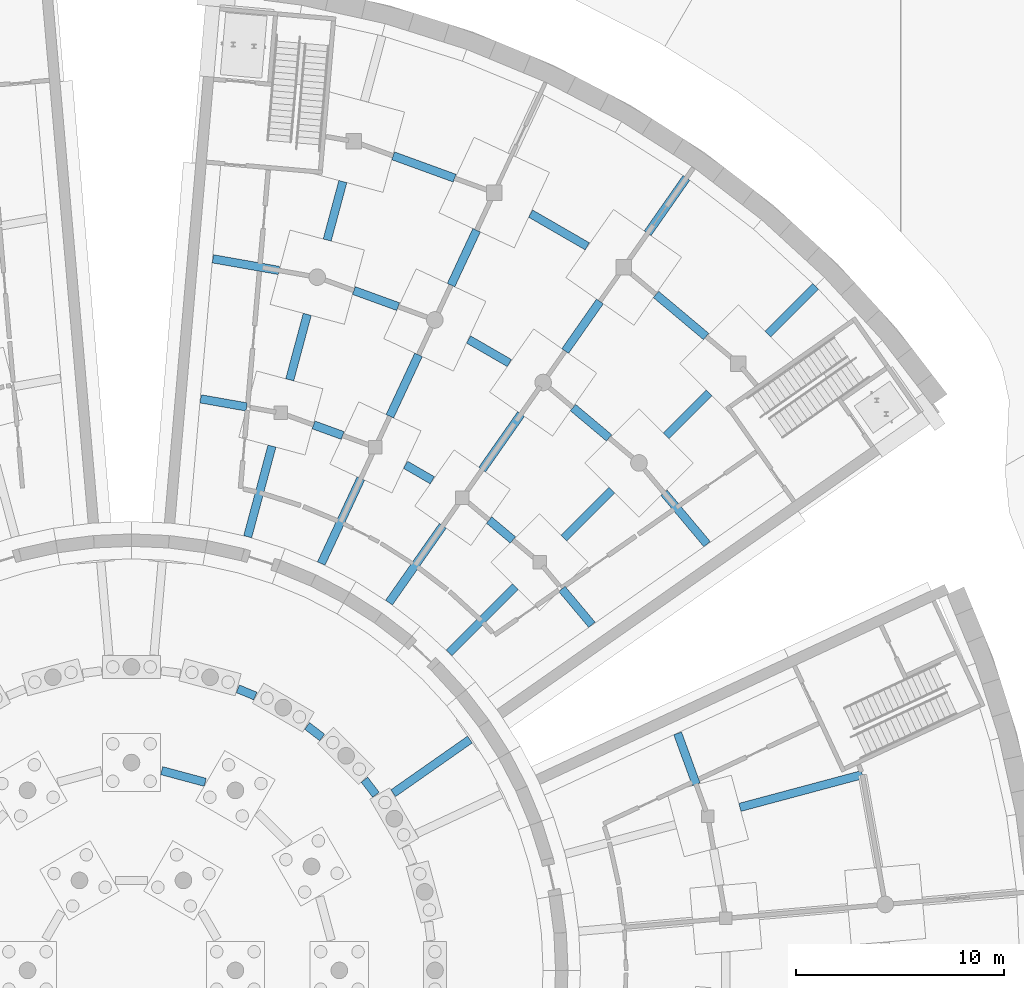
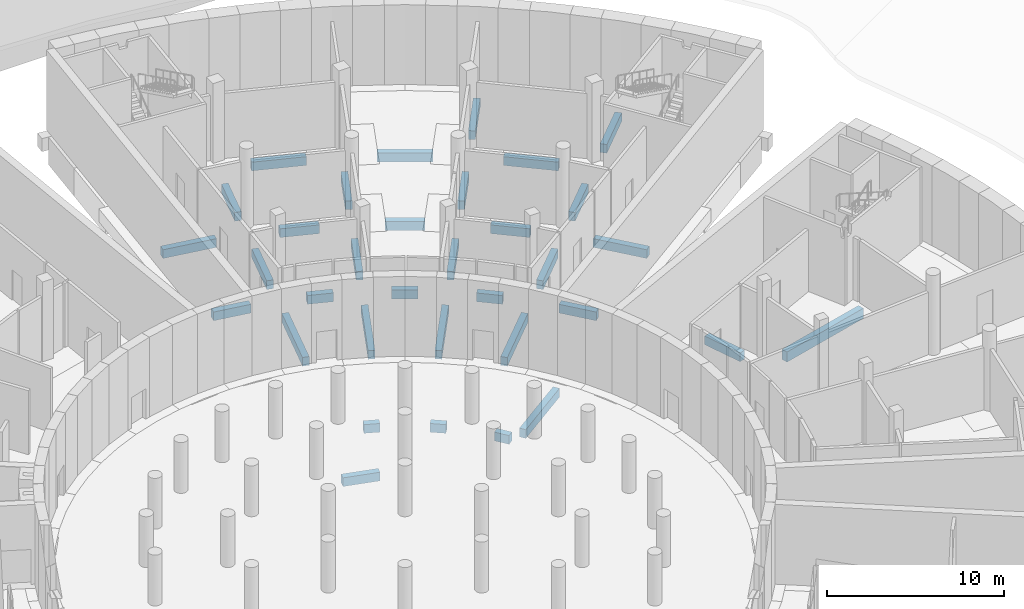
# One storey, part 26 of 65: 34 beams.
"""IFC4 building model written with IfcOpenShell, lengths in metres."""

from ifc_helpers import new_model, si_unit, direction, frame, origin, origin_2d, place, context, subcontext, project, spatial, rectangle, extrude, material, material_profile, profile_set, type_object, element, save


model = new_model("IFC4")

# Units and contexts
model_context = context("Model", 3, precision=1e-05, world=origin(), true_north=direction((0.0, 1.0)))
body_context = subcontext(model_context, "Body", "Model", "MODEL_VIEW")
ifc_project = project(units=[si_unit("LENGTHUNIT", "METRE"), si_unit("AREAUNIT", "SQUARE_METRE"), si_unit("VOLUMEUNIT", "CUBIC_METRE"), si_unit("PLANEANGLEUNIT", "RADIAN"), si_unit("MASSUNIT", "GRAM", prefix="KILO")], contexts=[model_context])

# Site, building, storey
site_placement = place(None, origin())
site = spatial("IfcSite", under=ifc_project, at=site_placement, CompositionType="ELEMENT")
building_placement = place(site_placement, origin())
building = spatial("IfcBuilding", under=site, at=building_placement, Name="Volute Hill Aquarium", CompositionType="ELEMENT")
storey_placement = place(building_placement, frame((0.0, 0.0, -5.5)))
storey = spatial("IfcBuildingStorey", under=building, at=storey_placement, Name="L00", CompositionType="ELEMENT", Elevation=-5.5)

# Beams
ifc_material_1 = material(Name="Concrete C30/37", Category="concrete")
ifc_material_profile_1 = material_profile(ifc_material_1, rectangle(XDim=0.39990234375, YDim=0.60009765625, at=origin_2d()), Name="RC tie beam 400x600")
ifc_profile_set_1 = profile_set([ifc_material_profile_1], Name="Concrete C30/37")
beam_type_1 = type_object("IfcBeamType", Name="Tank hall tie beam RC 400x600 C30/37", PredefinedType="BEAM", material=ifc_profile_set_1)
beam_1_placement = place(storey_placement, frame((3.54833984375, 9.04931640625, -0.60009765625), z_axis=(-0.965929978286, 0.258803549142, 0.0), x_axis=(-0.258803549142, -0.965929978286, 0.0)))
element("IfcBeam", 1, at=beam_1_placement, inside=storey, type_object=beam_type_1, Name="tb/DR/L00/2.2", PredefinedType="BEAM", context=body_context, shape_type="SweptSolid", body=[
    extrude(rectangle(XDim=0.39990234375, YDim=0.60009765625, at=origin_2d()), origin(), (0.0, 0.0, 1.0), 2.170654296875),
])
for number, where, z_axis, x_axis, name in (
    (2, (11.760986328125, 8.45068359375, -0.60009765625), (-0.608673571477, 0.793420748018, 0.0), (-0.793420748018, -0.608673571477, 0.0), "tb/DR/L00/3.2"),
    (3, (9.173095703125, 11.206787109375, -0.60009765625), (-0.793420748018, 0.608673571477, 0.0), (-0.608673571477, -0.793420748018, 0.0), "tb/DR/L00/3.3"),
    (4, (5.9599609375, 13.198974609375, -0.60009765625), (-0.923781446641, 0.382920146822, 0.0), (-0.382920146822, -0.923781446641, 0.0), "tb/DR/L00/3.4"),
):
    element("IfcBeam", number, at=place(storey_placement, frame(where, z_axis=z_axis, x_axis=x_axis)), inside=storey, type_object=beam_type_1, Name=name, PredefinedType="BEAM", context=body_context, shape_type="SweptSolid", body=[
        extrude(rectangle(XDim=0.39990234375, YDim=0.60009765625, at=origin_2d()), origin(), (0.0, 0.0, 1.0), 0.910400390625),
    ])
ifc_material_2 = material(Name="Concrete C30/37", Category="concrete")
ifc_material_profile_2 = material_profile(ifc_material_2, rectangle(XDim=0.39990234375, YDim=0.60009765625, at=origin_2d()), Name="RC tie beam 400x600")
ifc_profile_set_2 = profile_set([ifc_material_profile_2], Name="Concrete C30/37")
beam_type_2 = type_object("IfcBeamType", Name="Tie beam 400x600 C30/37", PredefinedType="BEAM", material=ifc_profile_set_2)
beam_2_placement = place(storey_placement, frame((27.166748046875, 8.953857421875, -0.6298828125), z_axis=(-0.342051121963, 0.939681344906, 0.0), x_axis=(-0.939681344906, -0.342051121963, 0.0)))
element("IfcBeam", 5, at=beam_2_placement, inside=storey, type_object=beam_type_2, Name="tb/S4/L00/40", PredefinedType="BEAM", context=body_context, shape_type="SweptSolid", body=[
    extrude(rectangle(XDim=0.39990234375, YDim=0.60009765625, at=origin_2d()), origin(), (0.0, 0.0, 1.0), 2.60888671875),
])
beam_3_placement = place(storey_placement, frame((18.348876953125, 20.70703125, -0.679931640625), z_axis=(-0.766110954851, 0.642708335762, 0.0), x_axis=(-0.642708335762, -0.766110954851, 0.0)))
element("IfcBeam", 6, at=beam_3_placement, inside=storey, type_object=beam_type_2, Name="tb/S5/L00/47", PredefinedType="BEAM", context=body_context, shape_type="SweptSolid", body=[
    extrude(rectangle(XDim=0.39990234375, YDim=0.60009765625, at=origin_2d()), origin(), (0.0, 0.0, 1.0), 1.49169921875),
])
beam_4_placement = place(storey_placement, frame((20.70703125, 18.348876953125, -0.679931640625), z_axis=(0.642737903416, -0.766086148884, 0.0), x_axis=(0.766086148884, 0.642737903416, 0.0)))
element("IfcBeam", 7, at=beam_4_placement, inside=storey, type_object=beam_type_2, Name="tb/S5/L00/48", PredefinedType="BEAM", context=body_context, shape_type="SweptSolid", body=[
    extrude(rectangle(XDim=0.39990234375, YDim=0.60009765625, at=origin_2d()), origin(), (0.0, 0.0, 1.0), 2.244384765625),
])
beam_5_placement = place(storey_placement, frame((18.46435546875, 18.46435546875, -0.679931640625), z_axis=(-0.707106781187, -0.707106781187, 0.0), x_axis=(0.707106781187, -0.707106781187, 0.0)))
element("IfcBeam", 8, at=beam_5_placement, inside=storey, type_object=beam_type_2, Name="tb/S5/L00/49", PredefinedType="BEAM", context=body_context, shape_type="SweptSolid", body=[
    extrude(rectangle(XDim=0.39990234375, YDim=0.60009765625, at=origin_2d()), origin(), (0.0, 0.0, 1.0), 4.5126953125),
])
beam_6_placement = place(storey_placement, frame((20.7978515625, 20.7978515625, -0.679931640625), z_axis=(0.707106781187, 0.707106781187, 0.0), x_axis=(-0.707106781187, 0.707106781187, 0.0)))
element("IfcBeam", 9, at=beam_6_placement, inside=storey, type_object=beam_type_2, Name="tb/S5/L00/50", PredefinedType="BEAM", context=body_context, shape_type="SweptSolid", body=[
    extrude(rectangle(XDim=0.39990234375, YDim=0.60009765625, at=origin_2d()), origin(), (0.0, 0.0, 1.0), 3.262451171875),
])
beam_7_placement = place(storey_placement, frame((14.474365234375, 23.57861328125, -0.679931640625), z_axis=(-0.866008413041, 0.500029427677, 0.0), x_axis=(-0.500029427677, -0.866008413041, 0.0)))
element("IfcBeam", 10, at=beam_7_placement, inside=storey, type_object=beam_type_2, Name="tb/S5/L00/51", PredefinedType="BEAM", context=body_context, shape_type="SweptSolid", body=[
    extrude(rectangle(XDim=0.39990234375, YDim=0.60009765625, at=origin_2d()), origin(), (0.0, 0.0, 1.0), 1.49169921875),
])
beam_8_placement = place(storey_placement, frame((14.977294921875, 21.3896484375, -0.679931640625), z_axis=(-0.573560390975, -0.819163279148, 0.0), x_axis=(0.819163279148, -0.573560390975, 0.0)))
element("IfcBeam", 11, at=beam_8_placement, inside=storey, type_object=beam_type_2, Name="tb/S5/L00/52", PredefinedType="BEAM", context=body_context, shape_type="SweptSolid", body=[
    extrude(rectangle(XDim=0.39990234375, YDim=0.60009765625, at=origin_2d()), origin(), (0.0, 0.0, 1.0), 4.511962890625),
])
beam_9_placement = place(storey_placement, frame((16.870361328125, 24.09326171875, -0.679931640625), z_axis=(0.57356780395, 0.819158088694, 0.0), x_axis=(-0.819158088694, 0.57356780395, 0.0)))
element("IfcBeam", 12, at=beam_9_placement, inside=storey, type_object=beam_type_2, Name="tb/S5/L00/53", PredefinedType="BEAM", context=body_context, shape_type="SweptSolid", body=[
    extrude(rectangle(XDim=0.39990234375, YDim=0.60009765625, at=origin_2d()), origin(), (0.0, 0.0, 1.0), 3.2626953125),
])
beam_10_placement = place(storey_placement, frame((10.159912109375, 25.73388671875, -0.679931640625), z_axis=(-0.939721715482, 0.341940195722, 0.0), x_axis=(-0.341940195722, -0.939721715482, 0.0)))
element("IfcBeam", 13, at=beam_10_placement, inside=storey, type_object=beam_type_2, Name="tb/S5/L00/54", PredefinedType="BEAM", context=body_context, shape_type="SweptSolid", body=[
    extrude(rectangle(XDim=0.39990234375, YDim=0.60009765625, at=origin_2d()), origin(), (0.0, 0.0, 1.0), 1.491455078125),
])
beam_11_placement = place(storey_placement, frame((11.035400390625, 23.66552734375, -0.679931640625), z_axis=(-0.422589227031, -0.906321325578, 0.0), x_axis=(0.906321325578, -0.422589227031, 0.0)))
element("IfcBeam", 14, at=beam_11_placement, inside=storey, type_object=beam_type_2, Name="tb/S5/L00/55", PredefinedType="BEAM", context=body_context, shape_type="SweptSolid", body=[
    extrude(rectangle(XDim=0.39990234375, YDim=0.60009765625, at=origin_2d()), origin(), (0.0, 0.0, 1.0), 4.511962890625),
])
beam_12_placement = place(storey_placement, frame((12.430419921875, 26.6572265625, -0.679931640625), z_axis=(0.422614995454, 0.906309310124, 0.0), x_axis=(-0.906309310124, 0.422614995454, 0.0)))
element("IfcBeam", 15, at=beam_12_placement, inside=storey, type_object=beam_type_2, Name="tb/S5/L00/56", PredefinedType="BEAM", context=body_context, shape_type="SweptSolid", body=[
    extrude(rectangle(XDim=0.39990234375, YDim=0.60009765625, at=origin_2d()), origin(), (0.0, 0.0, 1.0), 3.26171875),
])
beam_13_placement = place(storey_placement, frame((5.537109375, 27.107177734375, -0.679931640625), z_axis=(-0.984797790431, 0.1737046688, 0.0), x_axis=(-0.1737046688, -0.984797790431, 0.0)))
element("IfcBeam", 16, at=beam_13_placement, inside=storey, type_object=beam_type_2, Name="tb/S5/L00/57", PredefinedType="BEAM", context=body_context, shape_type="SweptSolid", body=[
    extrude(rectangle(XDim=0.39990234375, YDim=0.60009765625, at=origin_2d()), origin(), (0.0, 0.0, 1.0), 2.24462890625),
])
beam_14_placement = place(storey_placement, frame((6.75830078125, 25.22216796875, -0.679931640625), z_axis=(-0.258810915149, -0.965928004667, 0.0), x_axis=(0.965928004667, -0.258810915149, 0.0)))
element("IfcBeam", 17, at=beam_14_placement, inside=storey, type_object=beam_type_2, Name="tb/S5/L00/58", PredefinedType="BEAM", context=body_context, shape_type="SweptSolid", body=[
    extrude(rectangle(XDim=0.39990234375, YDim=0.60009765625, at=origin_2d()), origin(), (0.0, 0.0, 1.0), 4.511962890625),
])
beam_15_placement = place(storey_placement, frame((7.61279296875, 28.410888671875, -0.679931640625), z_axis=(0.258794708469, 0.965932346942, 0.0), x_axis=(-0.965932346942, 0.258794708469, 0.0)))
element("IfcBeam", 18, at=beam_15_placement, inside=storey, type_object=beam_type_2, Name="tb/S5/L00/59", PredefinedType="BEAM", context=body_context, shape_type="SweptSolid", body=[
    extrude(rectangle(XDim=0.39990234375, YDim=0.60009765625, at=origin_2d()), origin(), (0.0, 0.0, 1.0), 3.26123046875),
])
beam_16_placement = place(storey_placement, frame((22.976806640625, 25.617919921875, -0.679931640625), z_axis=(-0.766020614428, 0.642816006545, 0.0), x_axis=(-0.642816006545, -0.766020614428, 0.0)))
element("IfcBeam", 19, at=beam_16_placement, inside=storey, type_object=beam_type_2, Name="tb/S5/L00/60", PredefinedType="BEAM", context=body_context, shape_type="SweptSolid", body=[
    extrude(rectangle(XDim=0.39990234375, YDim=0.60009765625, at=origin_2d()), origin(), (0.0, 0.0, 1.0), 2.268798828125),
])
beam_17_placement = place(storey_placement, frame((25.617919921875, 22.976806640625, -0.679931640625), z_axis=(0.642781546602, -0.76604953061, 0.0), x_axis=(0.76604953061, 0.642781546602, 0.0)))
element("IfcBeam", 20, at=beam_17_placement, inside=storey, type_object=beam_type_2, Name="tb/S5/L00/61", PredefinedType="BEAM", context=body_context, shape_type="SweptSolid", body=[
    extrude(rectangle(XDim=0.39990234375, YDim=0.60009765625, at=origin_2d()), origin(), (0.0, 0.0, 1.0), 3.222412109375),
])
beam_18_placement = place(storey_placement, frame((25.720947265625, 25.720947265625, -0.679931640625), z_axis=(0.707106781187, 0.707106781187, 0.0), x_axis=(-0.707106781187, 0.707106781187, 0.0)))
element("IfcBeam", 21, at=beam_18_placement, inside=storey, type_object=beam_type_2, Name="tb/S5/L00/62", PredefinedType="BEAM", context=body_context, shape_type="SweptSolid", body=[
    extrude(rectangle(XDim=0.39990234375, YDim=0.60009765625, at=origin_2d()), origin(), (0.0, 0.0, 1.0), 2.91259765625),
])
beam_19_placement = place(storey_placement, frame((18.17919921875, 29.218505859375, -0.679931640625), z_axis=(-0.866002803143, 0.500039143415, 0.0), x_axis=(-0.500039143415, -0.866002803143, 0.0)))
element("IfcBeam", 22, at=beam_19_placement, inside=storey, type_object=beam_type_2, Name="tb/S5/L00/63", PredefinedType="BEAM", context=body_context, shape_type="SweptSolid", body=[
    extrude(rectangle(XDim=0.39990234375, YDim=0.60009765625, at=origin_2d()), origin(), (0.0, 0.0, 1.0), 2.268798828125),
])
beam_20_placement = place(storey_placement, frame((20.86376953125, 29.796630859375, -0.679931640625), z_axis=(0.573552357731, 0.819168903793, 0.0), x_axis=(-0.819168903793, 0.573552357731, 0.0)))
element("IfcBeam", 23, at=beam_20_placement, inside=storey, type_object=beam_type_2, Name="tb/S5/L00/64", PredefinedType="BEAM", context=body_context, shape_type="SweptSolid", body=[
    extrude(rectangle(XDim=0.39990234375, YDim=0.60009765625, at=origin_2d()), origin(), (0.0, 0.0, 1.0), 2.912353515625),
])
beam_21_placement = place(storey_placement, frame((12.829345703125, 31.931396484375, -0.679931640625), z_axis=(-0.939677128925, 0.342062703865, 0.0), x_axis=(-0.342062703865, -0.939677128925, 0.0)))
element("IfcBeam", 24, at=beam_21_placement, inside=storey, type_object=beam_type_2, Name="tb/S5/L00/65", PredefinedType="BEAM", context=body_context, shape_type="SweptSolid", body=[
    extrude(rectangle(XDim=0.39990234375, YDim=0.60009765625, at=origin_2d()), origin(), (0.0, 0.0, 1.0), 2.26904296875),
])
beam_22_placement = place(storey_placement, frame((15.373046875, 32.96728515625, -0.679931640625), z_axis=(0.422596258402, 0.906318047037, 0.0), x_axis=(-0.906318047037, 0.422596258402, 0.0)))
element("IfcBeam", 25, at=beam_22_placement, inside=storey, type_object=beam_type_2, Name="tb/S5/L00/66", PredefinedType="BEAM", context=body_context, shape_type="SweptSolid", body=[
    extrude(rectangle(XDim=0.39990234375, YDim=0.60009765625, at=origin_2d()), origin(), (0.0, 0.0, 1.0), 2.91162109375),
])
beam_23_placement = place(storey_placement, frame((7.089599609375, 33.674072265625, -0.679931640625), z_axis=(-0.984808717195, 0.173642709425, 0.0), x_axis=(-0.173642709425, -0.984808717195, 0.0)))
element("IfcBeam", 26, at=beam_23_placement, inside=storey, type_object=beam_type_2, Name="tb/S5/L00/67", PredefinedType="BEAM", context=body_context, shape_type="SweptSolid", body=[
    extrude(rectangle(XDim=0.39990234375, YDim=0.60009765625, at=origin_2d()), origin(), (0.0, 0.0, 1.0), 3.22265625),
])
beam_24_placement = place(storey_placement, frame((9.414794921875, 35.135986328125, -0.679931640625), z_axis=(0.258794750904, 0.965932335573, 0.0), x_axis=(-0.965932335573, 0.258794750904, 0.0)))
element("IfcBeam", 27, at=beam_24_placement, inside=storey, type_object=beam_type_2, Name="tb/S5/L00/68", PredefinedType="BEAM", context=body_context, shape_type="SweptSolid", body=[
    extrude(rectangle(XDim=0.39990234375, YDim=0.60009765625, at=origin_2d()), origin(), (0.0, 0.0, 1.0), 2.912109375),
])
beam_25_placement = place(storey_placement, frame((27.643310546875, 30.496337890625, -0.679931640625), z_axis=(-0.766022691305, 0.642813531598, 0.0), x_axis=(-0.642813531598, -0.766022691305, 0.0)))
element("IfcBeam", 28, at=beam_25_placement, inside=storey, type_object=beam_type_2, Name="tb/S5/L00/69", PredefinedType="BEAM", context=body_context, shape_type="SweptSolid", body=[
    extrude(rectangle(XDim=0.39990234375, YDim=0.60009765625, at=origin_2d()), origin(), (0.0, 0.0, 1.0), 3.146728515625),
])
beam_26_placement = place(storey_placement, frame((30.615234375, 30.615234375, -0.679931640625), z_axis=(0.707106781187, 0.707106781187, 0.0), x_axis=(-0.707106781187, 0.707106781187, 0.0)))
element("IfcBeam", 29, at=beam_26_placement, inside=storey, type_object=beam_type_2, Name="tb/S5/L00/70", PredefinedType="BEAM", context=body_context, shape_type="SweptSolid", body=[
    extrude(rectangle(XDim=0.39990234375, YDim=0.60009765625, at=origin_2d()), origin(), (0.0, 0.0, 1.0), 3.244384765625),
])
beam_27_placement = place(storey_placement, frame((21.927734375, 34.833251953125, -0.679931640625), z_axis=(-0.866038294681, 0.499977671647, 0.0), x_axis=(-0.499977671647, -0.866038294681, 0.0)))
element("IfcBeam", 30, at=beam_27_placement, inside=storey, type_object=beam_type_2, Name="tb/S5/L00/71", PredefinedType="BEAM", context=body_context, shape_type="SweptSolid", body=[
    extrude(rectangle(XDim=0.39990234375, YDim=0.60009765625, at=origin_2d()), origin(), (0.0, 0.0, 1.0), 3.146728515625),
])
beam_28_placement = place(storey_placement, frame((24.833740234375, 35.46630859375, -0.679931640625), z_axis=(0.573603738558, 0.8191329264, 0.0), x_axis=(-0.8191329264, 0.573603738558, 0.0)))
element("IfcBeam", 31, at=beam_28_placement, inside=storey, type_object=beam_type_2, Name="tb/S5/L00/72", PredefinedType="BEAM", context=body_context, shape_type="SweptSolid", body=[
    extrude(rectangle(XDim=0.39990234375, YDim=0.60009765625, at=origin_2d()), origin(), (0.0, 0.0, 1.0), 3.24462890625),
])
beam_29_placement = place(storey_placement, frame((15.5458984375, 38.11181640625, -0.679931640625), z_axis=(-0.939693705719, 0.342017162481, 0.0), x_axis=(-0.342017162481, -0.939693705719, 0.0)))
element("IfcBeam", 32, at=beam_29_placement, inside=storey, type_object=beam_type_2, Name="tb/S5/L00/73", PredefinedType="BEAM", context=body_context, shape_type="SweptSolid", body=[
    extrude(rectangle(XDim=0.39990234375, YDim=0.60009765625, at=origin_2d()), origin(), (0.0, 0.0, 1.0), 3.146484375),
])
beam_30_placement = place(storey_placement, frame((16.28076171875, 11.10693359375, -0.60009765625), z_axis=(-0.819170780783, -0.573549676934, 0.0), x_axis=(0.573549676934, -0.819170780783, 0.0)))
element("IfcBeam", 33, at=beam_30_placement, inside=storey, type_object=beam_type_2, Name="tb/S5/L00/eA0", PredefinedType="BEAM", context=body_context, shape_type="SweptSolid", body=[
    extrude(rectangle(XDim=0.39990234375, YDim=0.60009765625, at=origin_2d()), origin(), (0.0, 0.0, 1.0), 4.502685546875),
])
ifc_material_3 = material(Name="Concrete C30/37", Category="concrete")
ifc_material_profile_3 = material_profile(ifc_material_3, rectangle(XDim=0.39990234375, YDim=0.699951171875, at=origin_2d()), Name="RC tie beam 400x700")
ifc_profile_set_3 = profile_set([ifc_material_profile_3], Name="Concrete C30/37")
beam_type_3 = type_object("IfcBeamType", Name="Tie beam 400x700 C30/37", PredefinedType="BEAM", material=ifc_profile_set_3)
beam_31_placement = place(storey_placement, frame((29.267578125, 7.84228515625, -0.679931640625), z_axis=(0.965932688119, 0.258793435045, 0.0), x_axis=(-0.258793435045, 0.965932688119, 0.0)))
element("IfcBeam", 34, at=beam_31_placement, inside=storey, type_object=beam_type_3, Name="tb/S4/L00/42", PredefinedType="BEAM", context=body_context, shape_type="SweptSolid", body=[
    extrude(rectangle(XDim=0.39990234375, YDim=0.699951171875, at=origin_2d()), origin(), (0.0, 0.0, 1.0), 6.099853515625),
])

save(model, "model.ifc")
